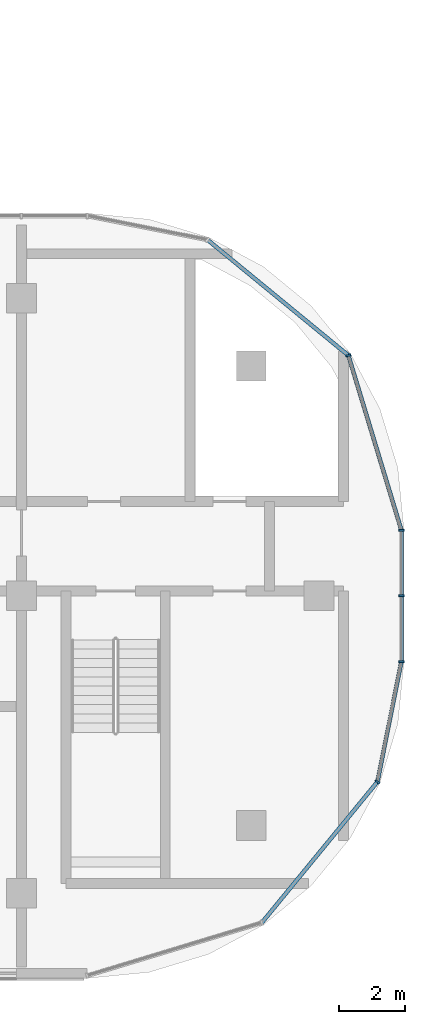
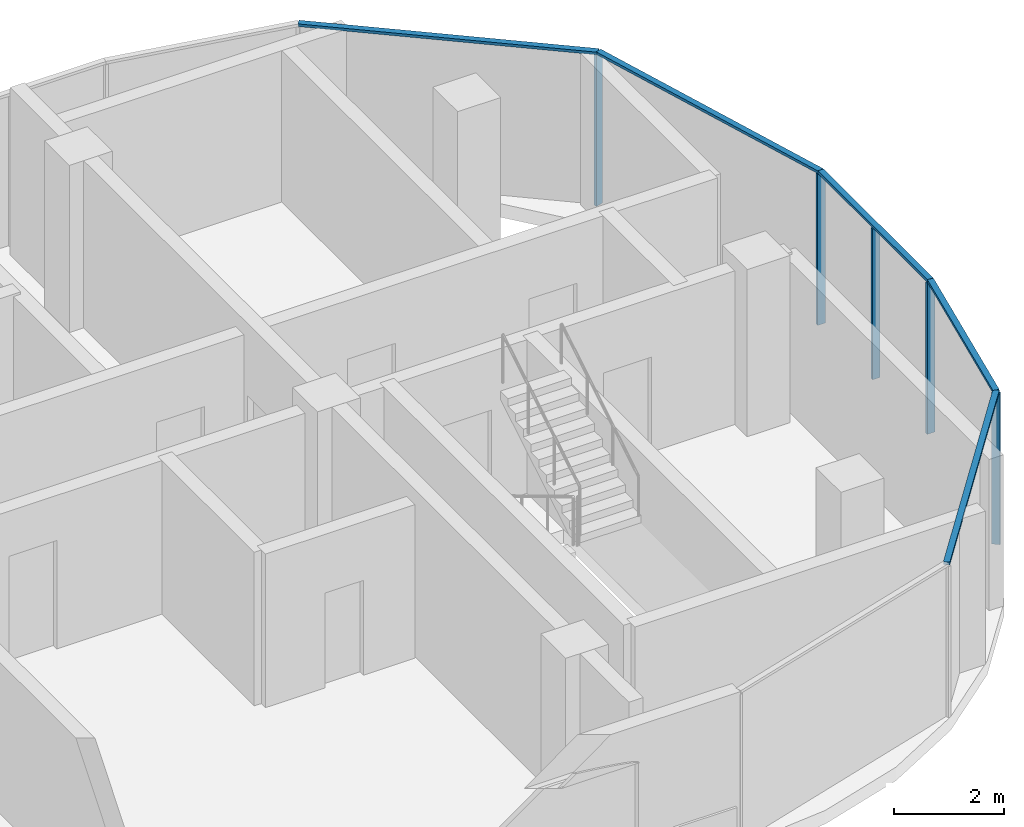
# One storey, part 7 of 18: 10 members, 3 elements without a shape of their own.
"""IFC4 building model written with IfcOpenShell, lengths in metres."""

from ifc_helpers import new_model, si_unit, direction, frame, origin, origin_2d, place, context, subcontext, project, spatial, rectangle, extrude, material, material_profile, profile_set, type_object, element, aggregate, save


model = new_model("IFC4")

# Units and contexts
model_context = context("Model", 3, precision=1e-05, world=origin(), true_north=direction((0.0, 1.0)))
body_context = subcontext(model_context, "Body", "Model", "MODEL_VIEW")
ifc_project = project(units=[si_unit("LENGTHUNIT", "METRE"), si_unit("AREAUNIT", "SQUARE_METRE"), si_unit("VOLUMEUNIT", "CUBIC_METRE"), si_unit("PLANEANGLEUNIT", "RADIAN"), si_unit("MASSUNIT", "GRAM", prefix="KILO")], contexts=[model_context])

# Site, building, storey
site_placement = place(None, origin())
site = spatial("IfcSite", under=ifc_project, at=site_placement, CompositionType="ELEMENT")
building_placement = place(site_placement, origin())
building = spatial("IfcBuilding", under=site, at=building_placement, Name="Ogive Portal Towers", CompositionType="ELEMENT")
storey_placement = place(building_placement, frame((0.0, 0.0, 240.199951171875)))
storey = spatial("IfcBuildingStorey", under=building, at=storey_placement, Name="L60", CompositionType="ELEMENT", Elevation=240.199951171875)

# Curtain wall, members
ifc_material_1 = material(Name="Glass, clear low-iron insulated glazing", Category="glass")
curtain_wall_type = type_object("IfcCurtainWallType", Name="CW FRONT RIBBON 4500", PredefinedType="NOTDEFINED", material=ifc_material_1)
curtain_wall_1_placement = place(storey_placement, origin())
curtain_wall_1 = element("IfcCurtainWall", 1, at=curtain_wall_1_placement, inside=storey, type_object=curtain_wall_type, Name="A:L60:f12:cw0", PredefinedType="NOTDEFINED")
ifc_material_2 = material(Name="Aluminium 6063 anodised", Category="aluminium")
ifc_material_profile_1 = material_profile(ifc_material_2, rectangle(XDim=0.159912109375, YDim=0.06005859375, at=origin_2d()), Name="AL 60x160")
ifc_profile_set_1 = profile_set([ifc_material_profile_1], Name="Aluminium 6063 anodised")
member_type_1 = type_object("IfcMemberType", Name="CW MULLION 60x160", PredefinedType="MULLION", material=ifc_profile_set_1)
member_1_placement = place(storey_placement, frame((96.9951171875, 28.5078125, 0.0), z_axis=(0.0, 0.0, 1.0), x_axis=(-1.0, 0.0, 0.0)))
member_1 = element("IfcMember", 2, at=member_1_placement, type_object=member_type_1, Name="mullion", PredefinedType="MULLION", context=body_context, shape_type="SweptSolid", body=[
    extrude(rectangle(XDim=0.159912109375, YDim=0.06005859375, at=origin_2d()), origin(), (0.0, 0.0, 1.0), 3.340087890625),
])
member_2_placement = place(storey_placement, frame((96.9951171875, 30.5, 0.0), z_axis=(0.0, 0.0, 1.0), x_axis=(-1.0, 0.0, 0.0)))
member_2 = element("IfcMember", 3, at=member_2_placement, type_object=member_type_1, Name="mullion", PredefinedType="MULLION", context=body_context, shape_type="SweptSolid", body=[
    extrude(rectangle(XDim=0.159912109375, YDim=0.06005859375, at=origin_2d()), origin(), (0.0, 0.0, 1.0), 3.340087890625),
])
member_3_placement = place(storey_placement, frame((96.9951171875, 32.488037109375, 0.0), z_axis=(0.0, 0.0, 1.0), x_axis=(-1.0, 0.0, 0.0)))
member_3 = element("IfcMember", 4, at=member_3_placement, type_object=member_type_1, Name="mullion", PredefinedType="MULLION", context=body_context, shape_type="SweptSolid", body=[
    extrude(rectangle(XDim=0.159912109375, YDim=0.06005859375, at=origin_2d()), origin(), (0.0, 0.0, 1.0), 3.340087890625),
])

# Curtain wall, member
curtain_wall_2_placement = place(storey_placement, origin())
curtain_wall_2 = element("IfcCurtainWall", 5, at=curtain_wall_2_placement, inside=storey, type_object=curtain_wall_type, Name="A:L60:f09:cwa", PredefinedType="NOTDEFINED")
member_4_placement = place(storey_placement, frame((96.271484375, 24.87109375, 0.0), z_axis=(0.0, 0.0, 1.0), x_axis=(-0.773010453363, 0.634393284164, 0.0)))
member_4 = element("IfcMember", 6, at=member_4_placement, type_object=member_type_1, Name="mullion", PredefinedType="MULLION", context=body_context, shape_type="SweptSolid", body=[
    extrude(rectangle(XDim=0.159912109375, YDim=0.06005859375, at=origin_2d()), origin(), (0.0, 0.0, 1.0), 3.340087890625),
])

curtain_wall_3_placement = place(storey_placement, origin())
curtain_wall_3 = element("IfcCurtainWall", 7, at=curtain_wall_3_placement, inside=storey, type_object=curtain_wall_type, Name="A:L60:f13:cwa", PredefinedType="NOTDEFINED")
member_5_placement = place(storey_placement, frame((95.391845703125, 37.773193359375, 0.0), z_axis=(0.0, 0.0, 1.0), x_axis=(-0.956940335732, -0.290284677254, 0.0)))
member_5 = element("IfcMember", 8, at=member_5_placement, type_object=member_type_1, Name="mullion", PredefinedType="MULLION", context=body_context, shape_type="SweptSolid", body=[
    extrude(rectangle(XDim=0.159912109375, YDim=0.06005859375, at=origin_2d()), origin(), (0.0, 0.0, 1.0), 3.340087890625),
])

# Member
ifc_material_profile_2 = material_profile(ifc_material_2, rectangle(XDim=0.1201171875, YDim=0.06005859375, at=origin_2d()), Name="AL 120x60")
ifc_profile_set_2 = profile_set([ifc_material_profile_2], Name="Aluminium 6063 anodised")
member_type_2 = type_object("IfcMemberType", Name="CW TRANSOM 60x120", PredefinedType="USERDEFINED", material=ifc_profile_set_2)
member_6_placement = place(storey_placement, frame((96.9951171875, 28.5078125, 3.3701171875), z_axis=(0.0, 1.0, 0.0), x_axis=(-1.0, 0.0, 0.0)))
member_6 = element("IfcMember", 9, at=member_6_placement, type_object=member_type_2, Name="transom", ObjectType="TRANSOM", PredefinedType="USERDEFINED", context=body_context, shape_type="SweptSolid", body=[
    extrude(rectangle(XDim=0.1201171875, YDim=0.06005859375, at=origin_2d()), origin(), (0.0, 0.0, 1.0), 3.980224609375),
])

aggregate(curtain_wall_1, [member_6, member_1, member_2, member_3])

member_7_placement = place(storey_placement, frame((92.773193359375, 20.608154296875, 3.3701171875), z_axis=(0.63437020596, 0.773029392579, 0.0), x_axis=(-0.773029392579, 0.63437020596, 0.0)))
member_7 = element("IfcMember", 10, at=member_7_placement, type_object=member_type_2, Name="transom", ObjectType="TRANSOM", PredefinedType="USERDEFINED", context=body_context, shape_type="SweptSolid", body=[
    extrude(rectangle(XDim=0.1201171875, YDim=0.06005859375, at=origin_2d()), origin(), (0.0, 0.0, 1.0), 5.5146484375),
])

member_8_placement = place(storey_placement, frame((96.271484375, 24.87109375, 3.3701171875), z_axis=(0.195153744134, 0.980772662828, 0.0), x_axis=(-0.980772662828, 0.195153744134, 0.0)))
member_8 = element("IfcMember", 11, at=member_8_placement, type_object=member_type_2, Name="transom", ObjectType="TRANSOM", PredefinedType="USERDEFINED", context=body_context, shape_type="SweptSolid", body=[
    extrude(rectangle(XDim=0.1201171875, YDim=0.06005859375, at=origin_2d()), origin(), (0.0, 0.0, 1.0), 3.7080078125),
])

aggregate(curtain_wall_2, [member_7, member_8, member_4])

member_9_placement = place(storey_placement, frame((96.9951171875, 32.488037109375, 3.3701171875), z_axis=(-0.290290789392, 0.956938481614, 0.0), x_axis=(-0.956938481614, -0.290290789392, 0.0)))
member_9 = element("IfcMember", 12, at=member_9_placement, type_object=member_type_2, Name="transom", ObjectType="TRANSOM", PredefinedType="USERDEFINED", context=body_context, shape_type="SweptSolid", body=[
    extrude(rectangle(XDim=0.1201171875, YDim=0.06005859375, at=origin_2d()), origin(), (0.0, 0.0, 1.0), 5.52294921875),
])

member_10_placement = place(storey_placement, frame((95.391845703125, 37.773193359375, 3.3701171875), z_axis=(-0.773029392579, 0.63437020596, 0.0), x_axis=(-0.63437020596, -0.773029392579, 0.0)))
member_10 = element("IfcMember", 13, at=member_10_placement, type_object=member_type_2, Name="transom", ObjectType="TRANSOM", PredefinedType="USERDEFINED", context=body_context, shape_type="SweptSolid", body=[
    extrude(rectangle(XDim=0.1201171875, YDim=0.06005859375, at=origin_2d()), origin(), (0.0, 0.0, 1.0), 5.5146484375),
])

aggregate(curtain_wall_3, [member_9, member_10, member_5])

save(model, "model.ifc")
